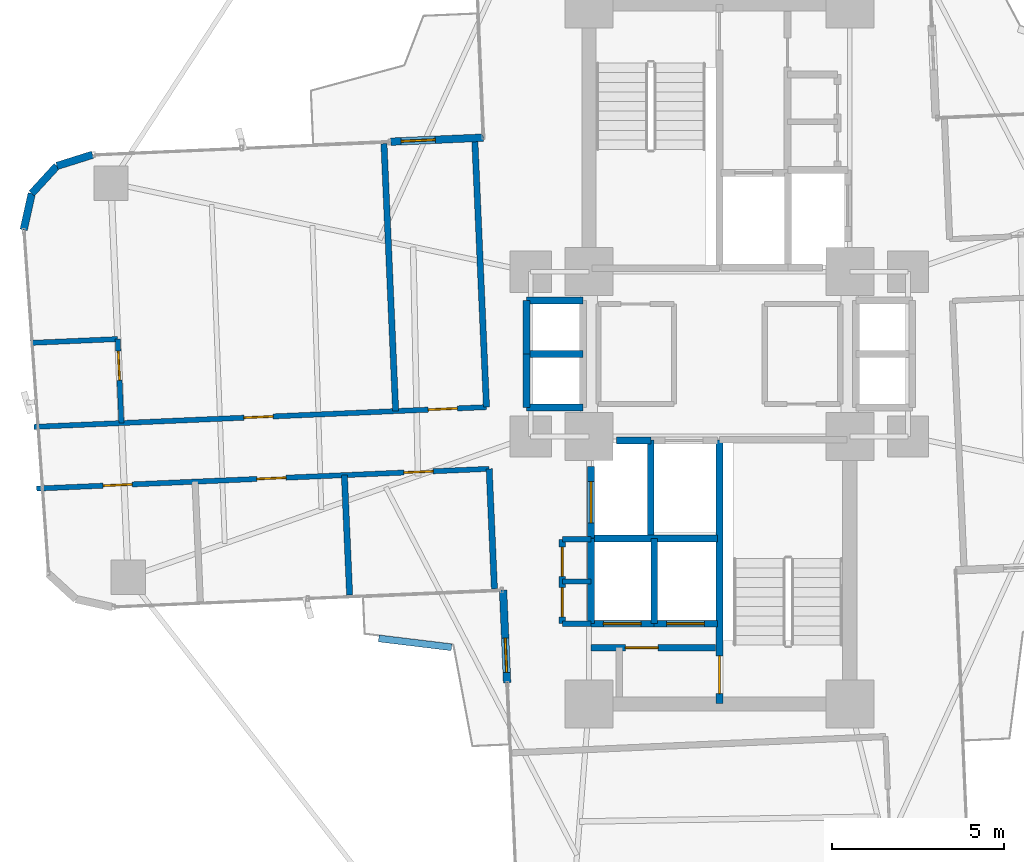
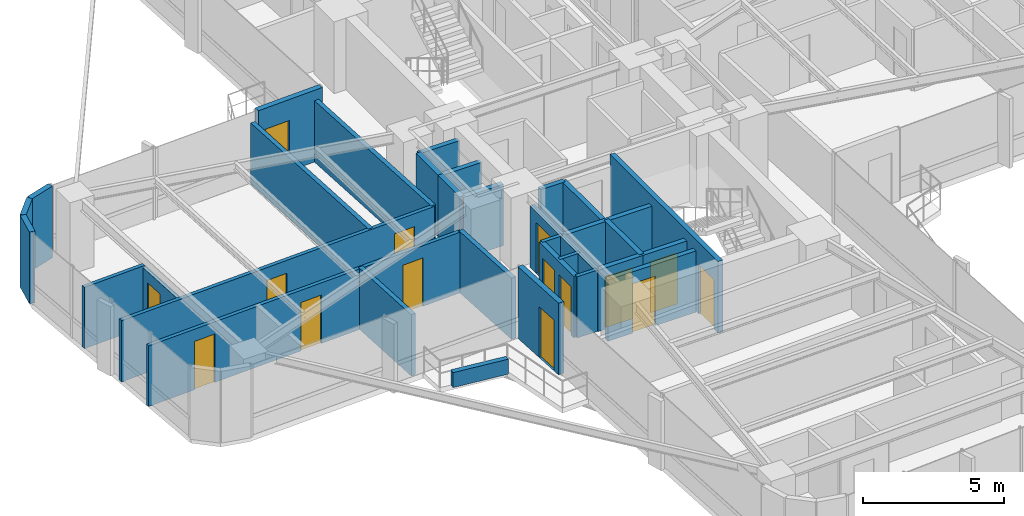
# One storey, part 23 of 27: 33 walls, 15 doors, 15 openings.
"""IFC4 building model written with IfcOpenShell, lengths in metres."""

from ifc_helpers import new_model, si_unit, direction, frame, frame_2d, origin, origin_2d, place, context, subcontext, project, spatial, rectangle, extrude, source, transform, mapped, material, layer, layer_set, type_object, element, fill, save


model = new_model("IFC4")

# Units and contexts
model_context = context("Model", 3, precision=1e-05, world=origin(), true_north=direction((0.0, 1.0)))
body_context = subcontext(model_context, "Body", "Model", "MODEL_VIEW")
ifc_project = project(units=[si_unit("LENGTHUNIT", "METRE"), si_unit("AREAUNIT", "SQUARE_METRE"), si_unit("VOLUMEUNIT", "CUBIC_METRE"), si_unit("PLANEANGLEUNIT", "RADIAN"), si_unit("MASSUNIT", "GRAM", prefix="KILO")], contexts=[model_context])

# Site, building, storey
site_placement = place(None, origin())
site = spatial("IfcSite", under=ifc_project, at=site_placement, CompositionType="ELEMENT")
building_placement = place(site_placement, origin())
building = spatial("IfcBuilding", under=site, at=building_placement, Name="Sahyath Konkavel Grand Hotel", CompositionType="ELEMENT")
storey_placement = place(building_placement, frame((0.0, 0.0, 90.199951171875)))
storey = spatial("IfcBuildingStorey", under=building, at=storey_placement, Name="L24", CompositionType="ELEMENT", Elevation=90.199951171875)

# Wall, opening, door
ifc_material_1 = material(Name="Warm Buff Sandstone Insulated Concrete C40/50", Category="masonry")
ifc_layer_1 = layer(ifc_material_1, 0.219970703125)
ifc_layer_set_1 = layer_set([ifc_layer_1], Name="Warm Buff Sandstone Insulated Concrete C40/50")
wall_type_1 = type_object("IfcWallType", Name="WLL-BALC-THRESH", PredefinedType="STANDARD", material=ifc_layer_set_1)
wall_1_placement = place(storey_placement, frame((-6.881591796875, 6.305908203125, 0.0), z_axis=(0.0, 0.0, 1.0), x_axis=(-0.999045894436, -0.043672655174, 0.0)))
wall_1 = element("IfcWall", 1, at=wall_1_placement, inside=storey, type_object=wall_type_1, Name="L24 Winter-Garden Threshold Wall 16", PredefinedType="STANDARD", context=body_context, shape_type="SweptSolid", body=[
    extrude(rectangle(XDim=2.7001953125, YDim=0.219970703125, at=frame_2d((1.35009765625, 0.0))), origin(), (0.0, 0.0, 1.0), 3.110107421875),
])
opening_1_placement = place(wall_1_placement, frame((1.39990234375, 0.0, 0.0)))
opening_1 = element("IfcOpeningElement", 2, at=opening_1_placement, cuts=wall_1, Name="Opening D-TR1", PredefinedType="OPENING", context=body_context, shape_type="SweptSolid", body=[
    extrude(rectangle(XDim=1.0, YDim=2.199951171875, at=frame_2d((0.5, 1.10009765625))), frame((0.0, 0.1201171875, 0.0), z_axis=(0.0, -1.0, 0.0), x_axis=(1.0, 0.0, 0.0)), (0.0, 0.0, 1.0), 0.239990234375),
])
ifc_material_2 = material(Name="Anodised Bronze Aluminium & Low-E Glazing", Category="aluminium")
door_type_1 = type_object("IfcDoorType", Name="DR-TERRACE-1000", OperationType="NOTDEFINED", PredefinedType="DOOR", material=ifc_material_2)
shared_shape_1 = source(origin(), body_context, "Body", "SweptSolid", [
    extrude(rectangle(XDim=1.0, YDim=0.050048828125, at=origin_2d()), origin(), (0.0, 0.0, 1.0), 2.199951171875),
])
door_1_placement = place(opening_1_placement, frame((0.5, 0.0, 0.0)))
door_1 = element("IfcDoor", 3, at=door_1_placement, inside=storey, type_object=door_type_1, Name="L24 Winter-Garden Terrace Door 16", OperationType="SINGLE_SWING_LEFT", OverallHeight=2.199951171875, OverallWidth=1.0, PredefinedType="DOOR", context=body_context, shape_type="MappedRepresentation", body=[
    mapped(shared_shape_1, transform((0.0, 0.0, 0.0), scale=1.0)),
])
fill(opening_1, door_1)

# Walls
for number, where, z_axis, x_axis, name in (
    (4, (-18.270751953125, 5.80859375, 0.0), (0.0, 0.0, 1.0), (-0.953721713582, -0.30069069331, 0.0), "L24 Rounded Corner Sandstone Pier 17"),
    (5, (-19.3076171875, 5.481689453125, 0.0), (0.0, 0.0, 1.0), (-0.675551721847, -0.737312600672, 0.0), "L24 Rounded Corner Sandstone Pier 18"),
):
    element("IfcWall", number, at=place(storey_placement, frame(where, z_axis=z_axis, x_axis=x_axis)), inside=storey, type_object=wall_type_1, Name=name, PredefinedType="STANDARD", context=body_context, shape_type="SweptSolid", body=[
        extrude(rectangle(XDim=1.087158203125, YDim=0.219970703125, at=frame_2d((0.54345703125, 0.0))), origin(), (0.0, 0.0, 1.0), 3.110107421875),
    ])
wall_2_placement = place(storey_placement, frame((-20.0419921875, 4.68017578125, 0.0), z_axis=(0.0, 0.0, 1.0), x_axis=(-0.216288323511, -0.976329535102, 0.0)))
element("IfcWall", 6, at=wall_2_placement, inside=storey, type_object=wall_type_1, Name="L24 Rounded Corner Sandstone Pier 19", PredefinedType="STANDARD", context=body_context, shape_type="SweptSolid", body=[
    extrude(rectangle(XDim=1.0869140625, YDim=0.219970703125, at=frame_2d((0.54345703125, 0.0))), origin(), (0.0, 0.0, 1.0), 3.110107421875),
])

# Wall, opening, door
wall_3_placement = place(storey_placement, frame((-6.305908203125, -6.881591796875, 0.0), z_axis=(0.0, 0.0, 1.0), x_axis=(0.043672655174, -0.999045894436, 0.0)))
wall_3 = element("IfcWall", 7, at=wall_3_placement, inside=storey, type_object=wall_type_1, Name="L24 Winter-Garden Threshold Wall 24", PredefinedType="STANDARD", context=body_context, shape_type="SweptSolid", body=[
    extrude(rectangle(XDim=2.7001953125, YDim=0.219970703125, at=frame_2d((1.35009765625, 0.0))), origin(), (0.0, 0.0, 1.0), 3.110107421875),
])
opening_2_placement = place(wall_3_placement, frame((1.39990234375, 0.0, 0.0)))
opening_2 = element("IfcOpeningElement", 8, at=opening_2_placement, cuts=wall_3, Name="Opening D-TR1", PredefinedType="OPENING", context=body_context, shape_type="SweptSolid", body=[
    extrude(rectangle(XDim=1.0, YDim=2.199951171875, at=frame_2d((0.5, 1.10009765625))), frame((0.0, 0.1201171875, 0.0), z_axis=(0.0, -1.0, 0.0), x_axis=(1.0, 0.0, 0.0)), (0.0, 0.0, 1.0), 0.239990234375),
])
door_2_placement = place(opening_2_placement, frame((0.5, 0.0, 0.0)))
door_2 = element("IfcDoor", 9, at=door_2_placement, inside=storey, type_object=door_type_1, Name="L24 Winter-Garden Terrace Door 24", OperationType="SINGLE_SWING_LEFT", OverallHeight=2.199951171875, OverallWidth=1.0, PredefinedType="DOOR", context=body_context, shape_type="MappedRepresentation", body=[
    mapped(shared_shape_1, transform((0.0, 0.0, 0.0), scale=1.0)),
])
fill(opening_2, door_2)

ifc_material_3 = material(Name="Concrete C40/50", Category="concrete")
ifc_layer_2 = layer(ifc_material_3, 0.199951171875)
ifc_layer_set_2 = layer_set([ifc_layer_2], Name="Concrete C40/50")
wall_type_2 = type_object("IfcWallType", Name="WLL-CORE-200", PredefinedType="SOLIDWALL", material=ifc_layer_set_2)
wall_4_placement = place(storey_placement, frame((0.0, -10.179931640625, 0.0), z_axis=(0.0, 0.0, 1.0), x_axis=(0.0, 1.0, 0.0)))
wall_4 = element("IfcWall", 10, at=wall_4_placement, inside=storey, type_object=wall_type_2, Name="L24 Stair ST-2 Shaft Wall W", PredefinedType="SOLIDWALL", context=body_context, shape_type="SweptSolid", body=[
    extrude(rectangle(XDim=7.679931640625, YDim=0.199951171875, at=frame_2d((3.83984375, 0.0))), origin(), (0.0, 0.0, 1.0), 3.110107421875),
])
opening_3_placement = place(wall_4_placement, frame((0.280029296875, 0.0, 0.0)))
opening_3 = element("IfcOpeningElement", 11, at=opening_3_placement, cuts=wall_4, Name="Opening D-F12B", PredefinedType="OPENING", context=body_context, shape_type="SweptSolid", body=[
    extrude(rectangle(XDim=1.10009765625, YDim=2.14990234375, at=frame_2d((0.550048828125, 1.074951171875))), frame((0.0, 0.10986328125, 0.0), z_axis=(0.0, -1.0, 0.0), x_axis=(1.0, 0.0, 0.0)), (0.0, 0.0, 1.0), 0.219970703125),
])
ifc_material_4 = material(Name="Steel E350 Smokeproof Fire Door", Category="steel")
door_type_2 = type_object("IfcDoorType", Name="DR-FD120-1100", OperationType="NOTDEFINED", PredefinedType="DOOR", material=ifc_material_4)
shared_shape_2 = source(origin(), body_context, "Body", "SweptSolid", [
    extrude(rectangle(XDim=1.10009765625, YDim=0.050048828125, at=origin_2d()), origin(), (0.0, 0.0, 1.0), 2.14990234375),
])
door_3_placement = place(opening_3_placement, frame((0.550048828125, 0.0, 0.0)))
door_3 = element("IfcDoor", 12, at=door_3_placement, inside=storey, type_object=door_type_2, Name="L24 Stair ST-2 Fire Door", OperationType="SINGLE_SWING_LEFT", OverallHeight=2.14990234375, OverallWidth=1.10009765625, PredefinedType="DOOR", context=body_context, shape_type="MappedRepresentation", body=[
    mapped(shared_shape_2, transform((0.0, 0.0, 0.0), scale=1.0)),
])
fill(opening_3, door_3)

# Walls
wall_5_placement = place(storey_placement, frame((-2.0, -5.280029296875, 0.0), z_axis=(0.0, 0.0, 1.0), x_axis=(0.0, 1.0, 0.0)))
element("IfcWall", 13, at=wall_5_placement, inside=storey, type_object=wall_type_2, Name="L24 Partition SH-FFL2-W", PredefinedType="SOLIDWALL", context=body_context, shape_type="SweptSolid", body=[
    extrude(rectangle(XDim=2.780029296875, YDim=0.199951171875, at=frame_2d((1.39013671875, 0.0))), origin(), (0.0, 0.0, 1.0), 2.66015625),
])
wall_6_placement = place(storey_placement, frame((-3.0, -2.52001953125, 0.0), z_axis=(0.0, 0.0, 1.0), x_axis=(1.0, 0.0, 0.0)))
element("IfcWall", 14, at=wall_6_placement, inside=storey, type_object=wall_type_2, Name="L24 Partition SH-SVL2-N", PredefinedType="SOLIDWALL", context=body_context, shape_type="SweptSolid", body=[
    extrude(rectangle(XDim=1.0, YDim=0.199951171875, at=frame_2d((0.5, 0.0))), origin(), (0.0, 0.0, 1.0), 2.66015625),
])

# Wall, opening, door
wall_7_placement = place(storey_placement, frame((-3.739990234375, -5.360107421875, 0.0), z_axis=(0.0, 0.0, 1.0), x_axis=(0.0, 1.0, 0.0)))
wall_7 = element("IfcWall", 15, at=wall_7_placement, inside=storey, type_object=wall_type_2, Name="L24 Partition SH-SVL2-W", PredefinedType="SOLIDWALL", context=body_context, shape_type="SweptSolid", body=[
    extrude(rectangle(XDim=2.080078125, YDim=0.199951171875, at=frame_2d((1.0400390625, 0.0))), origin(), (0.0, 0.0, 1.0), 2.66015625),
])
opening_4_placement = place(wall_7_placement, frame((0.43994140625, 0.0, 0.0)))
opening_4 = element("IfcOpeningElement", 16, at=opening_4_placement, cuts=wall_7, Name="Opening LD-12", PredefinedType="OPENING", context=body_context, shape_type="SweptSolid", body=[
    extrude(rectangle(XDim=1.199951171875, YDim=2.199951171875, at=frame_2d((0.60009765625, 1.10009765625))), frame((0.0, 0.10986328125, 0.0), z_axis=(0.0, -1.0, 0.0), x_axis=(1.0, 0.0, 0.0)), (0.0, 0.0, 1.0), 0.219970703125),
])
ifc_material_5 = material(Name="Stainless Steel Lift Landing Door 1200", Category="steel")
door_type_3 = type_object("IfcDoorType", Name="DR-LIFT-1200", OperationType="DOUBLE_DOOR_SLIDING", PredefinedType="DOOR", material=ifc_material_5)
shared_shape_3 = source(origin(), body_context, "Body", "SweptSolid", [
    extrude(rectangle(XDim=1.199951171875, YDim=0.050048828125, at=origin_2d()), origin(), (0.0, 0.0, 1.0), 2.199951171875),
])
door_4_placement = place(opening_4_placement, frame((0.60009765625, 0.0, 0.0)))
door_4 = element("IfcDoor", 17, at=door_4_placement, inside=storey, type_object=door_type_3, Name="L24 Service Lift SVL-2 Landing Door", OperationType="DOUBLE_DOOR_SLIDING", OverallHeight=2.199951171875, OverallWidth=1.199951171875, PredefinedType="DOOR", context=body_context, shape_type="MappedRepresentation", body=[
    mapped(shared_shape_3, transform((0.0, 0.0, 0.0), scale=1.0)),
])
fill(opening_4, door_4)

# Wall
wall_8_placement = place(storey_placement, frame((-3.739990234375, -7.860107421875, 0.0), z_axis=(0.0, 0.0, 1.0), x_axis=(0.0, 1.0, 0.0)))
element("IfcWall", 18, at=wall_8_placement, inside=storey, type_object=wall_type_2, Name="L24 Partition SH-PL3-W", PredefinedType="SOLIDWALL", context=body_context, shape_type="SweptSolid", body=[
    extrude(rectangle(XDim=2.480224609375, YDim=0.199951171875, at=frame_2d((1.240234375, 0.0))), origin(), (0.0, 0.0, 1.0), 2.66015625),
])

# Wall, opening, door
wall_9_placement = place(storey_placement, frame((-3.739990234375, -7.860107421875, 0.0), z_axis=(0.0, 0.0, 1.0), x_axis=(1.0, 0.0, 0.0)))
wall_9 = element("IfcWall", 19, at=wall_9_placement, inside=storey, type_object=wall_type_2, Name="L24 Partition SH-PL3-S", PredefinedType="SOLIDWALL", context=body_context, shape_type="SweptSolid", body=[
    extrude(rectangle(XDim=1.840087890625, YDim=0.199951171875, at=frame_2d((0.919921875, 0.0))), origin(), (0.0, 0.0, 1.0), 2.66015625),
])
opening_5_placement = place(wall_9_placement, frame((0.360107421875, 0.0, 0.0)))
opening_5 = element("IfcOpeningElement", 20, at=opening_5_placement, cuts=wall_9, Name="Opening LD-11", PredefinedType="OPENING", context=body_context, shape_type="SweptSolid", body=[
    extrude(rectangle(XDim=1.10009765625, YDim=2.199951171875, at=frame_2d((0.550048828125, 1.10009765625))), frame((0.0, 0.10986328125, 0.0), z_axis=(0.0, -1.0, 0.0), x_axis=(1.0, 0.0, 0.0)), (0.0, 0.0, 1.0), 0.219970703125),
])
ifc_material_6 = material(Name="Bronze Lift Landing Door 1100")
door_type_4 = type_object("IfcDoorType", Name="DR-LIFT-1100", OperationType="DOUBLE_DOOR_SLIDING", PredefinedType="DOOR", material=ifc_material_6)
shared_shape_4 = source(origin(), body_context, "Body", "SweptSolid", [
    extrude(rectangle(XDim=1.10009765625, YDim=0.050048828125, at=origin_2d()), origin(), (0.0, 0.0, 1.0), 2.199951171875),
])
door_5_placement = place(opening_5_placement, frame((0.550048828125, 0.0, 0.0)))
door_5 = element("IfcDoor", 21, at=door_5_placement, inside=storey, type_object=door_type_4, Name="L24 Passenger Lift PL-3 Landing Door", OperationType="DOUBLE_DOOR_SLIDING", OverallHeight=2.199951171875, OverallWidth=1.10009765625, PredefinedType="DOOR", context=body_context, shape_type="MappedRepresentation", body=[
    mapped(shared_shape_4, transform((0.0, 0.0, 0.0), scale=1.0)),
])
fill(opening_5, door_5)

# Walls
wall_10_placement = place(storey_placement, frame((-3.739990234375, -5.3798828125, 0.0), z_axis=(0.0, 0.0, 1.0), x_axis=(1.0, 0.0, 0.0)))
element("IfcWall", 22, at=wall_10_placement, inside=storey, type_object=wall_type_2, Name="L24 Partition SH-PL34-N", PredefinedType="SOLIDWALL", context=body_context, shape_type="SweptSolid", body=[
    extrude(rectangle(XDim=3.68994140625, YDim=0.199951171875, at=frame_2d((1.844970703125, 0.0))), origin(), (0.0, 0.0, 1.0), 2.66015625),
])
wall_11_placement = place(storey_placement, frame((-1.89990234375, -7.860107421875, 0.0), z_axis=(0.0, 0.0, 1.0), x_axis=(0.0, 1.0, 0.0)))
element("IfcWall", 23, at=wall_11_placement, inside=storey, type_object=wall_type_2, Name="L24 Partition SH-PL34-M", PredefinedType="SOLIDWALL", context=body_context, shape_type="SweptSolid", body=[
    extrude(rectangle(XDim=2.480224609375, YDim=0.199951171875, at=frame_2d((1.240234375, 0.0))), origin(), (0.0, 0.0, 1.0), 2.66015625),
])

# Wall, opening, door
wall_12_placement = place(storey_placement, frame((-1.89990234375, -7.860107421875, 0.0), z_axis=(0.0, 0.0, 1.0), x_axis=(1.0, 0.0, 0.0)))
wall_12 = element("IfcWall", 24, at=wall_12_placement, inside=storey, type_object=wall_type_2, Name="L24 Partition SH-PL4-S", PredefinedType="SOLIDWALL", context=body_context, shape_type="SweptSolid", body=[
    extrude(rectangle(XDim=1.849853515625, YDim=0.199951171875, at=frame_2d((0.9248046875, 0.0))), origin(), (0.0, 0.0, 1.0), 2.66015625),
])
opening_6_placement = place(wall_12_placement, frame((0.360107421875, 0.0, 0.0)))
opening_6 = element("IfcOpeningElement", 25, at=opening_6_placement, cuts=wall_12, Name="Opening LD-11", PredefinedType="OPENING", context=body_context, shape_type="SweptSolid", body=[
    extrude(rectangle(XDim=1.10009765625, YDim=2.199951171875, at=frame_2d((0.550048828125, 1.10009765625))), frame((0.0, 0.10986328125, 0.0), z_axis=(0.0, -1.0, 0.0), x_axis=(1.0, 0.0, 0.0)), (0.0, 0.0, 1.0), 0.219970703125),
])
door_6_placement = place(opening_6_placement, frame((0.550048828125, 0.0, 0.0)))
door_6 = element("IfcDoor", 26, at=door_6_placement, inside=storey, type_object=door_type_4, Name="L24 Passenger Lift PL-4 Landing Door", OperationType="DOUBLE_DOOR_SLIDING", OverallHeight=2.199951171875, OverallWidth=1.10009765625, PredefinedType="DOOR", context=body_context, shape_type="MappedRepresentation", body=[
    mapped(shared_shape_4, transform((0.0, 0.0, 0.0), scale=1.0)),
])
fill(opening_6, door_6)

# Walls
for number, where, z_axis, x_axis, name in (
    (27, (-5.6201171875, 1.56005859375, 0.0), (0.0, 0.0, 1.0), (1.0, 0.0, 0.0), "L24 Partition SH-SL12-N"),
    (28, (-5.6201171875, -1.56005859375, 0.0), (0.0, 0.0, 1.0), (1.0, 0.0, 0.0), "L24 Partition SH-SL12-S"),
    (29, (-5.6201171875, 0.0, 0.0), (0.0, 0.0, 1.0), (1.0, 0.0, 0.0), "L24 Partition SH-SL12-M"),
):
    element("IfcWall", number, at=place(storey_placement, frame(where, z_axis=z_axis, x_axis=x_axis)), inside=storey, type_object=wall_type_2, Name=name, PredefinedType="SOLIDWALL", context=body_context, shape_type="SweptSolid", body=[
        extrude(rectangle(XDim=1.64013671875, YDim=0.199951171875, at=frame_2d((0.820068359375, 0.0))), origin(), (0.0, 0.0, 1.0), 2.66015625),
    ])
for number, where, z_axis, x_axis, name in (
    (30, (-5.6201171875, 0.0, 0.0), (0.0, 0.0, 1.0), (0.0, 1.0, 0.0), "L24 Partition SH-SL1-W"),
    (31, (-5.6201171875, -1.56005859375, 0.0), (0.0, 0.0, 1.0), (0.0, 1.0, 0.0), "L24 Partition SH-SL2-W"),
):
    element("IfcWall", number, at=place(storey_placement, frame(where, z_axis=z_axis, x_axis=x_axis)), inside=storey, type_object=wall_type_2, Name=name, PredefinedType="SOLIDWALL", context=body_context, shape_type="SweptSolid", body=[
        extrude(rectangle(XDim=1.56005859375, YDim=0.199951171875, at=frame_2d((0.780029296875, 0.0))), origin(), (0.0, 0.0, 1.0), 2.66015625),
    ])

# Wall, opening, door
wall_13_placement = place(storey_placement, frame((-3.739990234375, -8.56005859375, 0.0), z_axis=(0.0, 0.0, 1.0), x_axis=(1.0, 0.0, 0.0)))
wall_13 = element("IfcWall", 32, at=wall_13_placement, inside=storey, type_object=wall_type_2, Name="L24 South FF Lobby Separation Wall", PredefinedType="SOLIDWALL", context=body_context, shape_type="SweptSolid", body=[
    extrude(rectangle(XDim=3.619873046875, YDim=0.199951171875, at=frame_2d((1.81005859375, 0.0))), origin(), (0.0, 0.0, 1.0), 2.66015625),
])
opening_7_placement = place(wall_13_placement, frame((1.0, 0.0, 0.0)))
opening_7 = element("IfcOpeningElement", 33, at=opening_7_placement, cuts=wall_13, Name="Opening D-F12C", PredefinedType="OPENING", context=body_context, shape_type="SweptSolid", body=[
    extrude(rectangle(XDim=0.949951171875, YDim=2.14990234375, at=frame_2d((0.47509765625, 1.074951171875))), frame((0.0, 0.10986328125, 0.0), z_axis=(0.0, -1.0, 0.0), x_axis=(1.0, 0.0, 0.0)), (0.0, 0.0, 1.0), 0.219970703125),
])
ifc_material_7 = material(Name="Steel E350 Plant Fire Door", Category="steel")
door_type_5 = type_object("IfcDoorType", Name="DR-FD120-950", OperationType="NOTDEFINED", PredefinedType="DOOR", material=ifc_material_7)
shared_shape_5 = source(origin(), body_context, "Body", "SweptSolid", [
    extrude(rectangle(XDim=0.949951171875, YDim=0.050048828125, at=origin_2d()), origin(), (0.0, 0.0, 1.0), 2.14990234375),
])
door_7_placement = place(opening_7_placement, frame((0.47509765625, 0.0, 0.0)))
door_7 = element("IfcDoor", 34, at=door_7_placement, inside=storey, type_object=door_type_5, Name="L24 South Firefighting Lobby Door", OperationType="SINGLE_SWING_RIGHT", OverallHeight=2.14990234375, OverallWidth=0.949951171875, PredefinedType="DOOR", context=body_context, shape_type="MappedRepresentation", body=[
    mapped(shared_shape_5, transform((0.0, 0.0, 0.0), scale=1.0)),
])
fill(opening_7, door_7)

# Wall, openings, doors
wall_14_placement = place(storey_placement, frame((-4.580078125, -7.860107421875, 0.0), z_axis=(0.0, 0.0, 1.0), x_axis=(0.0, 1.0, 0.0)))
wall_14 = element("IfcWall", 35, at=wall_14_placement, inside=storey, type_object=wall_type_2, Name="L24 Partition SC-FLK-W", PredefinedType="SOLIDWALL", context=body_context, shape_type="SweptSolid", body=[
    extrude(rectangle(XDim=2.460205078125, YDim=0.199951171875, at=frame_2d((1.22998046875, 0.0))), origin(), (0.0, 0.0, 1.0), 2.66015625),
])
opening_8_placement = place(wall_14_placement, frame((0.199951171875, 0.0, 0.0)))
opening_8 = element("IfcOpeningElement", 36, at=opening_8_placement, cuts=wall_14, Name="Opening D-F06D", PredefinedType="OPENING", context=body_context, shape_type="SweptSolid", body=[
    extrude(rectangle(XDim=0.85009765625, YDim=2.10009765625, at=frame_2d((0.425048828125, 1.050048828125))), frame((0.0, 0.10986328125, 0.0), z_axis=(0.0, -1.0, 0.0), x_axis=(1.0, 0.0, 0.0)), (0.0, 0.0, 1.0), 0.219970703125),
])
opening_9_placement = place(wall_14_placement, frame((1.3798828125, 0.0, 0.0)))
opening_9 = element("IfcOpeningElement", 37, at=opening_9_placement, cuts=wall_14, Name="Opening D-F06D", PredefinedType="OPENING", context=body_context, shape_type="SweptSolid", body=[
    extrude(rectangle(XDim=0.85009765625, YDim=2.10009765625, at=frame_2d((0.425048828125, 1.050048828125))), frame((0.0, 0.10986328125, 0.0), z_axis=(0.0, -1.0, 0.0), x_axis=(1.0, 0.0, 0.0)), (0.0, 0.0, 1.0), 0.219970703125),
])
ifc_material_8 = material(Name="Fire-Rated Shaft Access Door")
door_type_6 = type_object("IfcDoorType", Name="DR-FD60-850", OperationType="NOTDEFINED", PredefinedType="DOOR", material=ifc_material_8)
shared_shape_6 = source(origin(), body_context, "Body", "SweptSolid", [
    extrude(rectangle(XDim=0.85009765625, YDim=0.050048828125, at=origin_2d()), origin(), (0.0, 0.0, 1.0), 2.10009765625),
])
door_8_placement = place(opening_8_placement, frame((0.425048828125, 0.0, 0.0)))
door_8 = element("IfcDoor", 38, at=door_8_placement, inside=storey, type_object=door_type_6, Name="L24 Door SC-FLK1-D", OperationType="SINGLE_SWING_LEFT", OverallHeight=2.10009765625, OverallWidth=0.85009765625, PredefinedType="DOOR", context=body_context, shape_type="MappedRepresentation", body=[
    mapped(shared_shape_6, transform((0.0, 0.0, 0.0), scale=1.0)),
])
fill(opening_8, door_8)
door_9_placement = place(opening_9_placement, frame((0.425048828125, 0.0, 0.0)))
door_9 = element("IfcDoor", 39, at=door_9_placement, inside=storey, type_object=door_type_6, Name="L24 Door SC-FLK2-D", OperationType="SINGLE_SWING_RIGHT", OverallHeight=2.10009765625, OverallWidth=0.85009765625, PredefinedType="DOOR", context=body_context, shape_type="MappedRepresentation", body=[
    mapped(shared_shape_6, transform((0.0, 0.0, 0.0), scale=1.0)),
])
fill(opening_9, door_9)

# Walls
ifc_material_9 = material(Name="Twin-Stud Acoustic Gypsum Plasterboard Partition")
ifc_layer_3 = layer(ifc_material_9, 0.179931640625)
ifc_layer_set_3 = layer_set([ifc_layer_3], Name="Twin-Stud Acoustic Gypsum Plasterboard Partition")
wall_type_3 = type_object("IfcWallType", Name="WLL-DEMISE-180", PredefinedType="PARTITIONING", material=ifc_layer_set_3)
wall_15_placement = place(storey_placement, frame((-6.71044921875, -3.345947265625, 0.0), z_axis=(0.0, 0.0, 1.0), x_axis=(0.043597663116, -0.999049169846, 0.0)))
element("IfcWall", 40, at=wall_15_placement, inside=storey, type_object=wall_type_3, Name="L24 Partition W-INL", PredefinedType="PARTITIONING", context=body_context, shape_type="SweptSolid", body=[
    extrude(rectangle(XDim=3.5, YDim=0.179931640625, at=frame_2d((1.75, 0.0))), origin(), (0.0, 0.0, 1.0), 2.66015625),
])
wall_16_placement = place(storey_placement, frame((-7.129150390625, 6.2451171875, 0.0), z_axis=(0.0, 0.0, 1.0), x_axis=(0.043600217373, -0.999049058378, 0.0)))
element("IfcWall", 41, at=wall_16_placement, inside=storey, type_object=wall_type_3, Name="L24 Partition W-INR", PredefinedType="PARTITIONING", context=body_context, shape_type="SweptSolid", body=[
    extrude(rectangle(XDim=7.800048828125, YDim=0.179931640625, at=frame_2d((3.89990234375, 0.0))), origin(), (0.0, 0.0, 1.0), 2.66015625),
])
wall_17_placement = place(storey_placement, frame((-10.930419921875, -3.530029296875, 0.0), z_axis=(0.0, 0.0, 1.0), x_axis=(0.04359462501, -0.999049302422, 0.0)))
element("IfcWall", 42, at=wall_17_placement, inside=storey, type_object=wall_type_3, Name="L24 Partition W-W1L-DEM", PredefinedType="PARTITIONING", context=body_context, shape_type="SweptSolid", body=[
    extrude(rectangle(XDim=3.500244140625, YDim=0.179931640625, at=frame_2d((1.75, 0.0))), origin(), (0.0, 0.0, 1.0), 2.66015625),
])
wall_18_placement = place(storey_placement, frame((-9.436279296875, -1.6630859375, 0.0), z_axis=(0.0, 0.0, 1.0), x_axis=(-0.043632821702, 0.999047634936, 0.0)))
element("IfcWall", 43, at=wall_18_placement, inside=storey, type_object=wall_type_3, Name="L24 Partition W-WHK-DEM", PredefinedType="PARTITIONING", context=body_context, shape_type="SweptSolid", body=[
    extrude(rectangle(XDim=7.7998046875, YDim=0.179931640625, at=frame_2d((3.89990234375, 0.0))), origin(), (0.0, 0.0, 1.0), 2.66015625),
])
ifc_material_10 = material(Name="Fire-Rated Gypsum Plasterboard Partition")
ifc_layer_4 = layer(ifc_material_10, 0.14990234375)
ifc_layer_set_4 = layer_set([ifc_layer_4], Name="Fire-Rated Gypsum Plasterboard Partition")
wall_type_4 = type_object("IfcWallType", Name="WLL-PART-150", PredefinedType="PARTITIONING", material=ifc_layer_set_4)
for number, where, z_axis, x_axis, name in (
    (44, (-4.580078125, -5.39990234375, 0.0), (0.0, 0.0, 1.0), (1.0, 0.0, 0.0), "L24 Partition SC-FLK-N"),
    (45, (-4.580078125, -7.860107421875, 0.0), (0.0, 0.0, 1.0), (1.0, 0.0, 0.0), "L24 Partition SC-FLK-S"),
    (46, (-4.580078125, -6.6298828125, 0.0), (0.0, 0.0, 1.0), (1.0, 0.0, 0.0), "L24 Partition SC-FLK-M"),
):
    element("IfcWall", number, at=place(storey_placement, frame(where, z_axis=z_axis, x_axis=x_axis)), inside=storey, type_object=wall_type_4, Name=name, PredefinedType="PARTITIONING", context=body_context, shape_type="SweptSolid", body=[
        extrude(rectangle(XDim=0.840087890625, YDim=0.14990234375, at=frame_2d((0.419921875, 0.0))), origin(), (0.0, 0.0, 1.0), 2.66015625),
    ])

# Wall, openings, doors
wall_19_placement = place(storey_placement, frame((-6.71044921875, -3.345947265625, 0.0), z_axis=(0.0, 0.0, 1.0), x_axis=(-0.999048535483, -0.04361219725, 0.0)))
wall_19 = element("IfcWall", 47, at=wall_19_placement, inside=storey, type_object=wall_type_4, Name="L24 Partition W-CL", PredefinedType="PARTITIONING", context=body_context, shape_type="SweptSolid", body=[
    extrude(rectangle(XDim=13.199951171875, YDim=0.14990234375, at=frame_2d((6.60009765625, 0.0))), origin(), (0.0, 0.0, 1.0), 2.630126953125),
])
opening_10_placement = place(wall_19_placement, frame((1.636962890625, 0.0, 0.0)))
opening_10 = element("IfcOpeningElement", 48, at=opening_10_placement, cuts=wall_19, Name="Opening D-F06D", PredefinedType="OPENING", context=body_context, shape_type="SweptSolid", body=[
    extrude(rectangle(XDim=0.85009765625, YDim=2.10009765625, at=frame_2d((0.425048828125, 1.050048828125))), frame((0.0, 0.0849609375, 0.0), z_axis=(0.0, -1.0, 0.0), x_axis=(1.0, 0.0, 0.0)), (0.0, 0.0, 1.0), 0.169921875),
])
opening_11_placement = place(wall_19_placement, frame((5.927001953125, 0.0, 0.0)))
opening_11 = element("IfcOpeningElement", 49, at=opening_11_placement, cuts=wall_19, Name="Opening D-F06D", PredefinedType="OPENING", context=body_context, shape_type="SweptSolid", body=[
    extrude(rectangle(XDim=0.85009765625, YDim=2.10009765625, at=frame_2d((0.425048828125, 1.050048828125))), frame((0.0, 0.0849609375, 0.0), z_axis=(0.0, -1.0, 0.0), x_axis=(1.0, 0.0, 0.0)), (0.0, 0.0, 1.0), 0.169921875),
])
opening_12_placement = place(wall_19_placement, frame((10.4150390625, 0.0, 0.0)))
opening_12 = element("IfcOpeningElement", 50, at=opening_12_placement, cuts=wall_19, Name="Opening D-F06D", PredefinedType="OPENING", context=body_context, shape_type="SweptSolid", body=[
    extrude(rectangle(XDim=0.85009765625, YDim=2.10009765625, at=frame_2d((0.425048828125, 1.050048828125))), frame((0.0, 0.0849609375, 0.0), z_axis=(0.0, -1.0, 0.0), x_axis=(1.0, 0.0, 0.0)), (0.0, 0.0, 1.0), 0.169921875),
])
door_10_placement = place(opening_10_placement, frame((0.425048828125, 0.0, 0.0)))
door_10 = element("IfcDoor", 51, at=door_10_placement, inside=storey, type_object=door_type_6, Name="L24 Door W-W1L-D", OperationType="SINGLE_SWING_LEFT", OverallHeight=2.10009765625, OverallWidth=0.85009765625, PredefinedType="DOOR", context=body_context, shape_type="MappedRepresentation", body=[
    mapped(shared_shape_6, transform((0.0, 0.0, 0.0), scale=1.0)),
])
fill(opening_10, door_10)
door_11_placement = place(opening_11_placement, frame((0.425048828125, 0.0, 0.0)))
door_11 = element("IfcDoor", 52, at=door_11_placement, inside=storey, type_object=door_type_6, Name="L24 Door W-W2L-D", OperationType="SINGLE_SWING_RIGHT", OverallHeight=2.10009765625, OverallWidth=0.85009765625, PredefinedType="DOOR", context=body_context, shape_type="MappedRepresentation", body=[
    mapped(shared_shape_6, transform((0.0, 0.0, 0.0), scale=1.0)),
])
fill(opening_11, door_11)
door_12_placement = place(opening_12_placement, frame((0.425048828125, 0.0, 0.0)))
door_12 = element("IfcDoor", 53, at=door_12_placement, inside=storey, type_object=door_type_6, Name="L24 Door W-W3L-D", OperationType="SINGLE_SWING_LEFT", OverallHeight=2.10009765625, OverallWidth=0.85009765625, PredefinedType="DOOR", context=body_context, shape_type="MappedRepresentation", body=[
    mapped(shared_shape_6, transform((0.0, 0.0, 0.0), scale=1.0)),
])
fill(opening_12, door_12)

wall_20_placement = place(storey_placement, frame((-6.7890625, -1.547607421875, 0.0), z_axis=(0.0, 0.0, 1.0), x_axis=(-0.999048500303, -0.043613003123, 0.0)))
wall_20 = element("IfcWall", 54, at=wall_20_placement, inside=storey, type_object=wall_type_4, Name="L24 Partition W-CR", PredefinedType="PARTITIONING", context=body_context, shape_type="SweptSolid", body=[
    extrude(rectangle(XDim=13.19970703125, YDim=0.14990234375, at=frame_2d((6.599853515625, 0.0))), origin(), (0.0, 0.0, 1.0), 2.66015625),
])
opening_13_placement = place(wall_20_placement, frame((0.85009765625, 0.0, 0.0)))
opening_13 = element("IfcOpeningElement", 55, at=opening_13_placement, cuts=wall_20, Name="Opening D-F06D", PredefinedType="OPENING", context=body_context, shape_type="SweptSolid", body=[
    extrude(rectangle(XDim=0.85009765625, YDim=2.10009765625, at=frame_2d((0.425048828125, 1.050048828125))), frame((0.0, 0.0849609375, 0.0), z_axis=(0.0, -1.0, 0.0), x_axis=(1.0, 0.0, 0.0)), (0.0, 0.0, 1.0), 0.169921875),
])
opening_14_placement = place(wall_20_placement, frame((6.22509765625, 0.0, 0.0)))
opening_14 = element("IfcOpeningElement", 56, at=opening_14_placement, cuts=wall_20, Name="Opening D-F06D", PredefinedType="OPENING", context=body_context, shape_type="SweptSolid", body=[
    extrude(rectangle(XDim=0.85009765625, YDim=2.10009765625, at=frame_2d((0.425048828125, 1.050048828125))), frame((0.0, 0.0849609375, 0.0), z_axis=(0.0, -1.0, 0.0), x_axis=(1.0, 0.0, 0.0)), (0.0, 0.0, 1.0), 0.169921875),
])
door_13_placement = place(opening_13_placement, frame((0.425048828125, 0.0, 0.0)))
door_13 = element("IfcDoor", 57, at=door_13_placement, inside=storey, type_object=door_type_6, Name="L24 Door W-WHK-D", OperationType="SINGLE_SWING_RIGHT", OverallHeight=2.10009765625, OverallWidth=0.85009765625, PredefinedType="DOOR", context=body_context, shape_type="MappedRepresentation", body=[
    mapped(shared_shape_6, transform((0.0, 0.0, 0.0), scale=1.0)),
])
fill(opening_13, door_13)
door_14_placement = place(opening_14_placement, frame((0.425048828125, 0.0, 0.0)))
door_14 = element("IfcDoor", 58, at=door_14_placement, inside=storey, type_object=door_type_6, Name="L24 Door W-W2R-ED", OperationType="SINGLE_SWING_RIGHT", OverallHeight=2.10009765625, OverallWidth=0.85009765625, PredefinedType="DOOR", context=body_context, shape_type="MappedRepresentation", body=[
    mapped(shared_shape_6, transform((0.0, 0.0, 0.0), scale=1.0)),
])
fill(opening_14, door_14)

# Wall, opening, door
wall_21_placement = place(storey_placement, frame((-17.4287109375, -2.01220703125, 0.0), z_axis=(0.0, 0.0, 1.0), x_axis=(-0.043644787072, 0.999047112283, 0.0)))
wall_21 = element("IfcWall", 59, at=wall_21_placement, inside=storey, type_object=wall_type_4, Name="L24 Partition W-W2R-BS", PredefinedType="PARTITIONING", context=body_context, shape_type="SweptSolid", body=[
    extrude(rectangle(XDim=2.4501953125, YDim=0.14990234375, at=frame_2d((1.22509765625, 0.0))), origin(), (0.0, 0.0, 1.0), 2.580078125),
])
opening_15_placement = place(wall_21_placement, frame((1.25, 0.0, 0.0)))
opening_15 = element("IfcOpeningElement", 60, at=opening_15_placement, cuts=wall_21, Name="Opening D-BT85", PredefinedType="OPENING", context=body_context, shape_type="SweptSolid", body=[
    extrude(rectangle(XDim=0.85009765625, YDim=2.10009765625, at=frame_2d((0.425048828125, 1.050048828125))), frame((0.0, 0.0849609375, 0.0), z_axis=(0.0, -1.0, 0.0), x_axis=(1.0, 0.0, 0.0)), (0.0, 0.0, 1.0), 0.169921875),
])
ifc_material_11 = material(Name="Moisture-Resistant Teak Bathroom Door")
door_type_7 = type_object("IfcDoorType", Name="DR-BATH-850", OperationType="NOTDEFINED", PredefinedType="DOOR", material=ifc_material_11)
door_15_placement = place(opening_15_placement, frame((0.425048828125, 0.0, 0.0)))
door_15 = element("IfcDoor", 61, at=door_15_placement, inside=storey, type_object=door_type_7, Name="L24 Door W-W2R-BD", OperationType="SINGLE_SWING_LEFT", OverallHeight=2.10009765625, OverallWidth=0.85009765625, PredefinedType="DOOR", context=body_context, shape_type="MappedRepresentation", body=[
    mapped(shared_shape_6, transform((0.0, 0.0, 0.0), scale=1.0)),
])
fill(opening_15, door_15)

# Walls
wall_22_placement = place(storey_placement, frame((-17.53564453125, 0.435546875, 0.0), z_axis=(0.0, 0.0, 1.0), x_axis=(-0.999046560091, -0.043657425146, 0.0)))
element("IfcWall", 62, at=wall_22_placement, inside=storey, type_object=wall_type_4, Name="L24 Partition W-W2R-BF", PredefinedType="PARTITIONING", context=body_context, shape_type="SweptSolid", body=[
    extrude(rectangle(XDim=2.550048828125, YDim=0.14990234375, at=frame_2d((1.27490234375, 0.0))), origin(), (0.0, 0.0, 1.0), 2.66015625),
])
ifc_material_12 = material(Name="Warm Buff Sandstone Planter Wall", Category="masonry")
ifc_layer_5 = layer(ifc_material_12, 0.199951171875)
ifc_layer_set_5 = layer_set([ifc_layer_5], Name="Warm Buff Sandstone Planter Wall")
wall_type_5 = type_object("IfcWallType", Name="WLL-PLANTER-200", PredefinedType="PARAPET", material=ifc_layer_set_5)
wall_23_placement = place(storey_placement, frame((-9.92919921875, -8.289794921875, 0.0), z_axis=(0.0, 0.0, 1.0), x_axis=(0.992704378924, -0.120573695575, 0.0)))
element("IfcWall", 63, at=wall_23_placement, inside=storey, type_object=wall_type_5, Name="L24 Sky-Garden Stone Planter PLANTER SW", PredefinedType="PARAPET", context=body_context, shape_type="SweptSolid", body=[
    extrude(rectangle(XDim=2.13623046875, YDim=0.199951171875, at=frame_2d((1.068115234375, 0.0))), origin(), (0.0, 0.0, 1.0), 0.650146484375),
])

save(model, "model.ifc")
